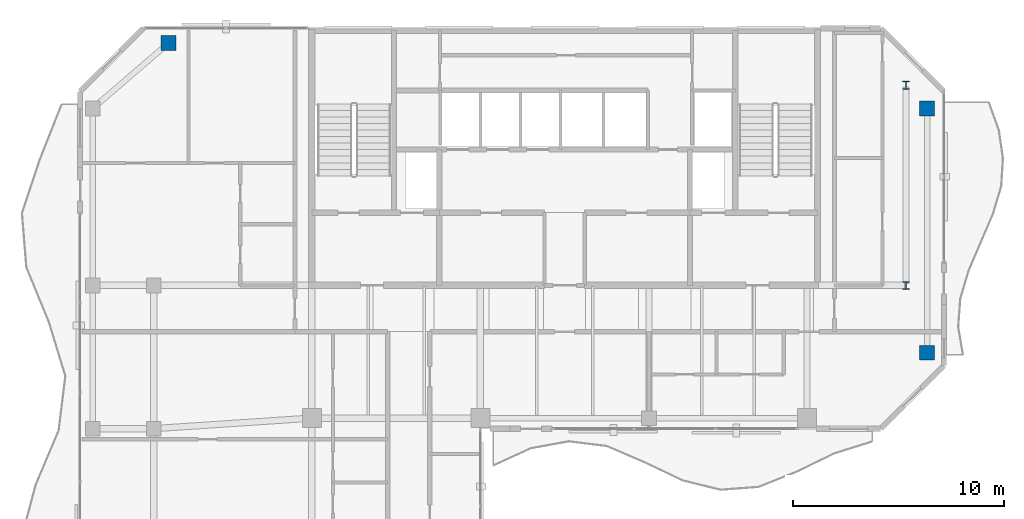
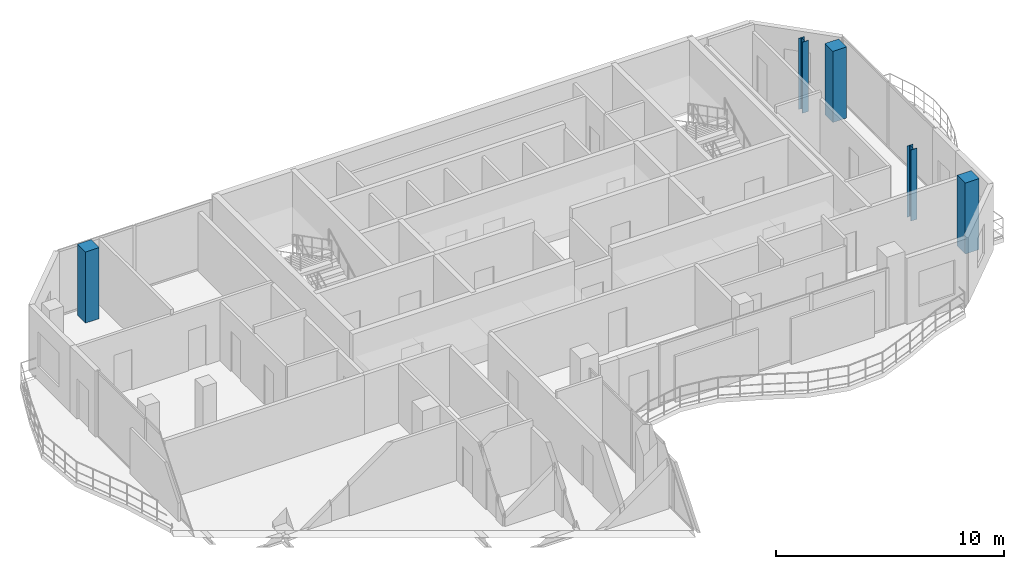
# One storey, part 2 of 22: 5 columns.
"""IFC4 building model written with IfcOpenShell, lengths in metres."""

from ifc_helpers import new_model, si_unit, direction, frame, origin, origin_2d, place, context, subcontext, project, spatial, rectangle, i_section, extrude, material, material_profile, profile_set, type_object, element, save


model = new_model("IFC4")

# Units and contexts
model_context = context("Model", 3, precision=1e-05, world=origin(), true_north=direction((0.0, 1.0)))
body_context = subcontext(model_context, "Body", "Model", "MODEL_VIEW")
ifc_project = project(units=[si_unit("LENGTHUNIT", "METRE"), si_unit("AREAUNIT", "SQUARE_METRE"), si_unit("VOLUMEUNIT", "CUBIC_METRE"), si_unit("PLANEANGLEUNIT", "RADIAN"), si_unit("MASSUNIT", "GRAM", prefix="KILO")], contexts=[model_context])

# Site, building, storey
site_placement = place(None, origin())
site = spatial("IfcSite", under=ifc_project, at=site_placement, CompositionType="ELEMENT")
building_placement = place(site_placement, origin())
building = spatial("IfcBuilding", under=site, at=building_placement, Name="Catumbela Crestline Tower", CompositionType="ELEMENT")
storey_placement = place(building_placement, frame((0.0, 0.0, 256.4)))
storey = spatial("IfcBuildingStorey", under=building, at=storey_placement, Name="L66", CompositionType="ELEMENT", Elevation=256.4)

# Columns
ifc_material_1 = material(Name="Concrete C45/55", Category="concrete")
ifc_material_profile_1 = material_profile(ifc_material_1, rectangle(XDim=0.7, YDim=0.7, at=origin_2d()), Name="RC 700x700")
ifc_profile_set_1 = profile_set([ifc_material_profile_1], Name="Concrete C45/55")
column_type_1 = type_object("IfcColumnType", Name="C-RC700-C45", PredefinedType="COLUMN", material=ifc_profile_set_1)
for number, where, z_axis, x_axis, name in (
    (1, (9.2, 42.3, 0.0), (0.0, 0.0, 1.0), (1.0, 0.0, 0.0), "L66 Column C-08-43 (RC 700x700)"),
    (2, (45.2, 27.6, 0.0), (0.0, 0.0, 1.0), (1.0, 0.0, 0.0), "L66 Column C-46-24 (RC 700x700)"),
    (3, (45.2, 39.2, 0.0), (0.0, 0.0, 1.0), (1.0, 0.0, 0.0), "L66 Column C-46-43 (RC 700x700)"),
):
    element("IfcColumn", number, at=place(storey_placement, frame(where, z_axis=z_axis, x_axis=x_axis)), inside=storey, type_object=column_type_1, Name=name, PredefinedType="COLUMN", context=body_context, shape_type="SweptSolid", body=[
        extrude(rectangle(XDim=0.7, YDim=0.7, at=origin_2d()), origin(), (0.0, 0.0, 1.0), 3.8),
    ])
ifc_material_2 = material(Name="Structural steel S355J2", Category="steel")
ifc_material_profile_2 = material_profile(ifc_material_2, i_section(OverallWidth=0.3, OverallDepth=0.36, WebThickness=0.0125, FlangeThickness=0.0225, FilletRadius=0.027, at=origin_2d()), Name="HEB 360")
ifc_profile_set_2 = profile_set([ifc_material_profile_2], Name="Structural steel S355J2")
column_type_2 = type_object("IfcColumnType", Name="C-ST-HEB360", PredefinedType="COLUMN", material=ifc_profile_set_2)
for number, where, z_axis, x_axis, name in (
    (4, (44.2, 30.8, 0.0), (0.0, 0.0, 1.0), (1.0, 0.0, 0.0), "L66 Column CT-46-31 (HEB 360)"),
    (5, (44.2, 40.3, 0.0), (0.0, 0.0, 1.0), (1.0, 0.0, 0.0), "L66 Column CT-46-37 (HEB 360)"),
):
    element("IfcColumn", number, at=place(storey_placement, frame(where, z_axis=z_axis, x_axis=x_axis)), inside=storey, type_object=column_type_2, Name=name, PredefinedType="COLUMN", context=body_context, shape_type="SweptSolid", body=[
        extrude(i_section(OverallWidth=0.3, OverallDepth=0.36, WebThickness=0.0125, FlangeThickness=0.0225, FilletRadius=0.027, at=origin_2d()), origin(), (0.0, 0.0, 1.0), 3.8),
    ])

save(model, "model.ifc")
